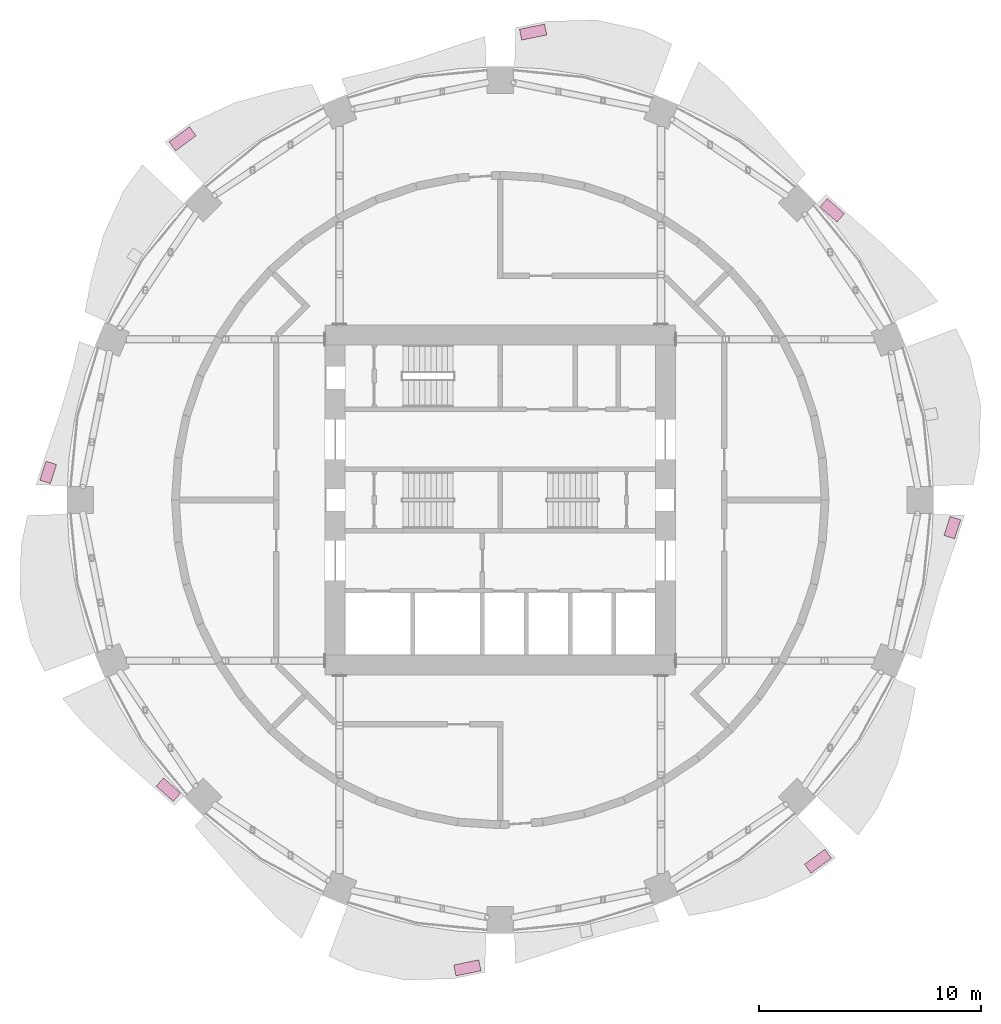
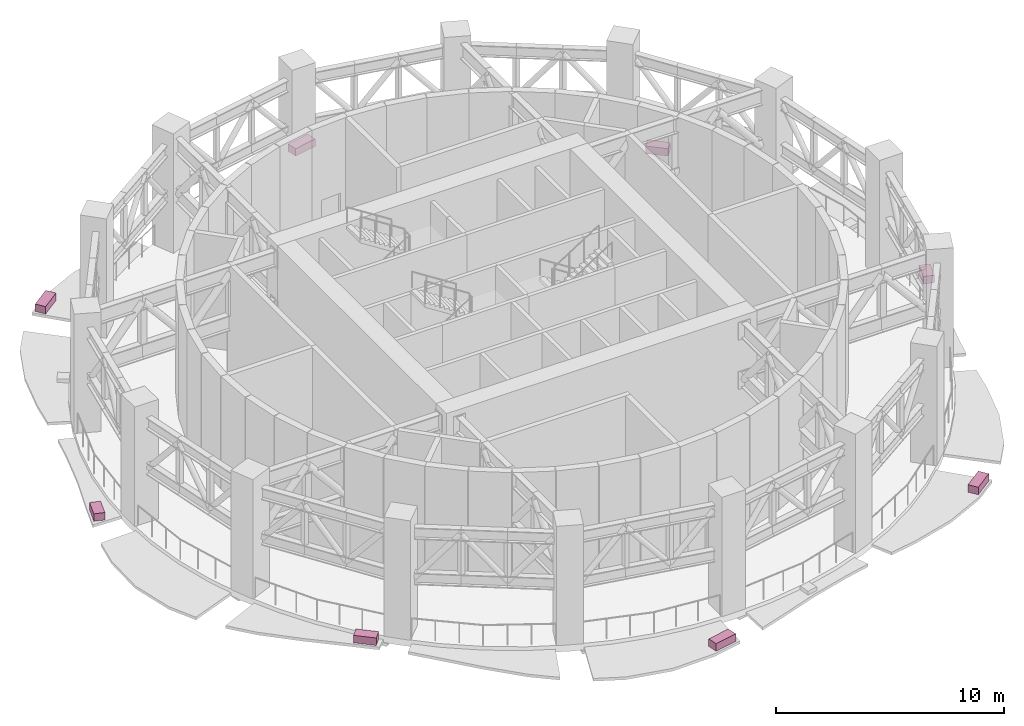
# One storey, part 14 of 14: 8 furniture elements.
"""IFC4 building model written with IfcOpenShell, lengths in metres."""

import ifcopenshell
import ifcopenshell.guid

model = None  # the IFC model being written
_history = None  # IfcOwnerHistory: only IFC2X3 demands one
_inside = {}  # id of a spatial element -> (the spatial element, [elements in it])
_under = {}  # id of a project, library or spatial element -> (it, [spatial elements below it])
_declared = {}  # id of a project -> (the project, [libraries it declares])
_typed = {}  # id of a type object -> (the type object, [elements of that type])
_made_of = {}  # id of a material, layer set ... -> (it, [elements and type objects made of it])


def new_model(schema):
    """Start an empty IFC model of exactly this schema.

    Asked for "IFC4X3", IfcOpenShell would pick the latest addendum, in which some entities
    have other attributes; the version numbers below select the first issue.
    IFC2X3 requires an IfcOwnerHistory on every rooted entity: one is made here for all.
    """
    global model, _history
    if schema == "IFC4X3":
        model = ifcopenshell.file(schema_version=(4, 3, 0, 0))
    else:
        model = ifcopenshell.file(schema=schema)
    _inside.clear()
    _under.clear()
    _declared.clear()
    _typed.clear()
    _made_of.clear()
    _history = None
    if model.schema == "IFC2X3":
        org = make("IfcOrganization", Name="unknown")
        user = make(
            "IfcPersonAndOrganization",
            ThePerson=make("IfcPerson", FamilyName="unknown"),
            TheOrganization=org,
        )
        app = make(
            "IfcApplication",
            ApplicationDeveloper=org,
            Version="unknown",
            ApplicationFullName="unknown",
            ApplicationIdentifier="unknown",
        )
        _history = make(
            "IfcOwnerHistory",
            OwningUser=user,
            OwningApplication=app,
            ChangeAction="ADDED",
            CreationDate=0,
        )
    return model


def make(cls, **values):
    """One entity of the class cls with the attributes given. An attribute that is None is left unset."""
    return model.create_entity(
        cls, **{name: value for name, value in values.items() if value is not None}
    )


def rooted(cls, **values):
    """An entity with a GlobalId (a new one), such as an element, a storey or a relation."""
    return make(cls, GlobalId=ifcopenshell.guid.new(), OwnerHistory=_history, **values)


def si_unit(unit_type, name, prefix=None):
    """IfcSIUnit, for example si_unit("LENGTHUNIT", "METRE", prefix="MILLI")."""
    return make("IfcSIUnit", UnitType=unit_type, Prefix=prefix, Name=name)


def assignment(units):
    """IfcUnitAssignment: the units of a project."""
    return None if units is None else make("IfcUnitAssignment", Units=units)


def point(xyz):
    """IfcCartesianPoint."""
    return None if xyz is None else make("IfcCartesianPoint", Coordinates=xyz)


def direction(xyz):
    """IfcDirection."""
    return None if xyz is None else make("IfcDirection", DirectionRatios=xyz)


def frame(location, z_axis=None, x_axis=None):
    """IfcAxis2Placement3D, a coordinate frame: its origin and axes. An axis left out is left unset."""
    return make(
        "IfcAxis2Placement3D",
        Location=point(location),
        Axis=direction(z_axis),
        RefDirection=direction(x_axis),
    )


def frame_2d(location, x_axis=None):
    """IfcAxis2Placement2D, a coordinate frame in the plane: its origin and x axis."""
    return make(
        "IfcAxis2Placement2D", Location=point(location), RefDirection=direction(x_axis)
    )


def origin():
    """The frame at (0, 0, 0) with its axes left unset."""
    return frame((0.0, 0.0, 0.0))


def origin_2d():
    """The frame at (0, 0) in the plane with its x axis left unset."""
    return frame_2d((0.0, 0.0))


def place(relative_to, where):
    """IfcLocalPlacement: puts the frame where relative to a parent placement (None: the world)."""
    return make(
        "IfcLocalPlacement", PlacementRelTo=relative_to, RelativePlacement=where
    )


def context(
    kind, dimensions, precision=None, world=None, true_north=None, identifier=None
):
    """IfcGeometricRepresentationContext, for example the 3D "Model" context."""
    return make(
        "IfcGeometricRepresentationContext",
        ContextIdentifier=identifier,
        ContextType=kind,
        CoordinateSpaceDimension=dimensions,
        Precision=precision,
        WorldCoordinateSystem=world,
        TrueNorth=true_north,
    )


def subcontext(parent, identifier, kind, view, scale=None):
    """IfcGeometricRepresentationSubContext, for example "Body" below "Model"."""
    return make(
        "IfcGeometricRepresentationSubContext",
        ContextIdentifier=identifier,
        ContextType=kind,
        ParentContext=parent,
        TargetScale=scale,
        TargetView=view,
    )


def project(units=None, contexts=None):
    """IfcProject with its units and contexts."""
    return rooted(
        "IfcProject",
        Name="project",
        RepresentationContexts=contexts,
        UnitsInContext=assignment(units),
    )


def spatial(cls, under=None, at=None, **own):
    """A site, building, storey or space (cls), placed at a placement, below another one or the project."""
    s = rooted(cls, ObjectPlacement=at, **own)
    if under is not None:
        _under.setdefault(under.id(), (under, []))[1].append(s)
    return s


def profile(cls, at=None, kind="AREA", **sizes):
    """A parametric profile (cls). Its sizes go by their IFC names, for example OverallWidth=200.0."""
    return make(cls, ProfileType=kind, Position=at, **sizes)


def rectangle(**sizes):
    """IfcRectangleProfileDef."""
    return profile("IfcRectangleProfileDef", **sizes)


def extrude(swept, where, along, depth):
    """IfcExtrudedAreaSolid: the profile swept, set in the frame where, extruded along a direction by depth."""
    return make(
        "IfcExtrudedAreaSolid",
        SweptArea=swept,
        Position=where,
        ExtrudedDirection=direction(along),
        Depth=depth,
    )


def shape(context_of_items, identifier, shape_type, items):
    """IfcShapeRepresentation: the items that make up one representation, for example the "Body"."""
    return make(
        "IfcShapeRepresentation",
        ContextOfItems=context_of_items,
        RepresentationIdentifier=identifier,
        RepresentationType=shape_type,
        Items=items,
    )


def material(Name=None, Category=None):
    """IfcMaterial."""
    return make("IfcMaterial", Name=Name, Category=Category)


def made_of(thing, what):
    """Note that an element or type object is made of a material, layer set ...; save() writes the relation."""
    if what is not None:
        _made_of.setdefault(what.id(), (what, []))[1].append(thing)
    return thing


def type_object(cls, material=None, **own):
    """A type object (cls), such as IfcWallType, which elements share."""
    return made_of(rooted(cls, **own), material)


def element(
    cls,
    number,
    at=None,
    inside=None,
    cuts=None,
    type_object=None,
    material=None,
    context=None,
    identifier="Body",
    shape_type=None,
    held_by="IfcProductDefinitionShape",
    body=None,
    shapes=None,
    **own,
):
    """One element of the class cls, such as IfcWall. Its Tag is "e" and its number.

    at: its placement. inside: the storey or other place that contains it. cuts: it is an
    opening in that element (IfcRelVoidsElement). A single representation is given by context,
    identifier, shape_type and body (its items); several are given by shapes. held_by: the class
    of the entity that holds the representations. save() writes the other relations.
    """
    e = rooted(cls, Tag="e%d" % number, ObjectPlacement=at, **own)
    if body is not None:
        shapes = [shape(context, identifier, shape_type, body)]
    if shapes is not None:
        e.Representation = make(held_by, Representations=shapes)
    if inside is not None:
        _inside.setdefault(inside.id(), (inside, []))[1].append(e)
    if cuts is not None:
        rooted(
            "IfcRelVoidsElement", RelatingBuildingElement=cuts, RelatedOpeningElement=e
        )
    if type_object is not None:
        _typed.setdefault(type_object.id(), (type_object, []))[1].append(e)
    return made_of(e, material)


def aggregate(whole, parts):
    """IfcRelAggregates: a whole, such as a stair, and the parts it consists of."""
    return rooted("IfcRelAggregates", RelatingObject=whole, RelatedObjects=parts)


def save(model, path):
    """Write the relations noted so far, then the file.

    IfcRelAggregates (storeys below a building ...), IfcRelContainedInSpatialStructure (elements
    in a storey), IfcRelDefinesByType, IfcRelAssociatesMaterial and IfcRelDeclares: one each for
    every whole, place, type object, material and project.
    """
    for whole, parts in _under.values():
        aggregate(whole, parts)
    for where, things in _inside.values():
        rooted(
            "IfcRelContainedInSpatialStructure",
            RelatedElements=things,
            RelatingStructure=where,
        )
    for kind, things in _typed.values():
        rooted("IfcRelDefinesByType", RelatedObjects=things, RelatingType=kind)
    for what, things in _made_of.values():
        rooted("IfcRelAssociatesMaterial", RelatedObjects=things, RelatingMaterial=what)
    for by, libraries in _declared.values():
        rooted("IfcRelDeclares", RelatingContext=by, RelatedDefinitions=libraries)
    model.write(path)


model = new_model("IFC4")

# Units and contexts
model_context = context("Model", 3, precision=1e-05, world=origin(), true_north=direction((0.0, 1.0)))
body_context = subcontext(model_context, "Body", "Model", "MODEL_VIEW")
ifc_project = project(units=[si_unit("LENGTHUNIT", "METRE"), si_unit("AREAUNIT", "SQUARE_METRE"), si_unit("VOLUMEUNIT", "CUBIC_METRE"), si_unit("PLANEANGLEUNIT", "RADIAN"), si_unit("MASSUNIT", "GRAM", prefix="KILO")], contexts=[model_context])

# Site, building, storey
site_placement = place(None, origin())
site = spatial("IfcSite", under=ifc_project, at=site_placement, CompositionType="ELEMENT")
building_placement = place(site_placement, origin())
building = spatial("IfcBuilding", under=site, at=building_placement, Name="Polderwave Tower", CompositionType="ELEMENT")
storey_placement = place(building_placement, frame((0.0, 0.0, 66.35009765625)))
storey = spatial("IfcBuildingStorey", under=building, at=storey_placement, Name="L17", CompositionType="ELEMENT", Elevation=66.35009765625)

# Furniture
ifc_material = material(Name="Terracotta", Category="masonry")
furniture_type = type_object("IfcFurnitureType", Name="Terracotta planting trough", AssemblyPlace="NOTDEFINED", PredefinedType="USERDEFINED", material=ifc_material)
furniture_1_placement = place(storey_placement, frame((14.9169921875, 13.01953125, -0.199951171875), z_axis=(0.0, 0.0, 1.0), x_axis=(-0.74729960892, 0.664487241795, 0.0)))
element("IfcFurniture", 1, at=furniture_1_placement, inside=storey, type_object=furniture_type, Name="Planting trough L17 2", ObjectType="PLANTER", PredefinedType="USERDEFINED", context=body_context, shape_type="SweptSolid", body=[
    extrude(rectangle(XDim=1.027587890625, YDim=0.5, at=origin_2d()), origin(), (0.0, 0.0, 1.0), 0.39990234375),
])
furniture_2_placement = place(storey_placement, frame((1.47802734375, 21.030029296875, -0.199951171875), z_axis=(0.0, 0.0, 1.0), x_axis=(-0.979782487407, -0.200065682641, 0.0)))
element("IfcFurniture", 2, at=furniture_2_placement, inside=storey, type_object=furniture_type, Name="Planting trough L17 4", ObjectType="PLANTER", PredefinedType="USERDEFINED", context=body_context, shape_type="SweptSolid", body=[
    extrude(rectangle(XDim=1.152099609375, YDim=0.5, at=origin_2d()), origin(), (0.0, 0.0, 1.0), 0.39990234375),
])
furniture_3_placement = place(storey_placement, frame((-14.27880859375, 16.235107421875, -0.199951171875), z_axis=(0.0, 0.0, 1.0), x_axis=(-0.80519094552, -0.593015633227, 0.0)))
element("IfcFurniture", 3, at=furniture_3_placement, inside=storey, type_object=furniture_type, Name="Planting trough L17 6", ObjectType="PLANTER", PredefinedType="USERDEFINED", context=body_context, shape_type="SweptSolid", body=[
    extrude(rectangle(XDim=1.141845703125, YDim=0.5, at=origin_2d()), origin(), (0.0, 0.0, 1.0), 0.39990234375),
])
furniture_4_placement = place(storey_placement, frame((-20.3203125, 1.241455078125, -0.199951171875), z_axis=(0.0, 0.0, 1.0), x_axis=(-0.307416407633, -0.951575090215, 0.0)))
element("IfcFurniture", 4, at=furniture_4_placement, inside=storey, type_object=furniture_type, Name="Planting trough L17 8", ObjectType="PLANTER", PredefinedType="USERDEFINED", context=body_context, shape_type="SweptSolid", body=[
    extrude(rectangle(XDim=0.895751953125, YDim=0.5, at=origin_2d()), origin(), (0.0, 0.0, 1.0), 0.39990234375),
])
furniture_5_placement = place(storey_placement, frame((-14.9169921875, -13.01953125, -0.199951171875), z_axis=(0.0, 0.0, 1.0), x_axis=(0.74729960892, -0.664487241795, 0.0)))
element("IfcFurniture", 5, at=furniture_5_placement, inside=storey, type_object=furniture_type, Name="Planting trough L17 10", ObjectType="PLANTER", PredefinedType="USERDEFINED", context=body_context, shape_type="SweptSolid", body=[
    extrude(rectangle(XDim=1.027587890625, YDim=0.5, at=origin_2d()), origin(), (0.0, 0.0, 1.0), 0.39990234375),
])
furniture_6_placement = place(storey_placement, frame((-1.47802734375, -21.030029296875, -0.199951171875), z_axis=(0.0, 0.0, 1.0), x_axis=(0.979782487407, 0.200065682641, 0.0)))
element("IfcFurniture", 6, at=furniture_6_placement, inside=storey, type_object=furniture_type, Name="Planting trough L17 12", ObjectType="PLANTER", PredefinedType="USERDEFINED", context=body_context, shape_type="SweptSolid", body=[
    extrude(rectangle(XDim=1.152099609375, YDim=0.5, at=origin_2d()), origin(), (0.0, 0.0, 1.0), 0.39990234375),
])
furniture_7_placement = place(storey_placement, frame((14.27880859375, -16.235107421875, -0.199951171875), z_axis=(0.0, 0.0, 1.0), x_axis=(0.80519094552, 0.593015633227, 0.0)))
element("IfcFurniture", 7, at=furniture_7_placement, inside=storey, type_object=furniture_type, Name="Planting trough L17 14", ObjectType="PLANTER", PredefinedType="USERDEFINED", context=body_context, shape_type="SweptSolid", body=[
    extrude(rectangle(XDim=1.141845703125, YDim=0.5, at=origin_2d()), origin(), (0.0, 0.0, 1.0), 0.39990234375),
])
furniture_8_placement = place(storey_placement, frame((20.3203125, -1.241455078125, -0.199951171875), z_axis=(0.0, 0.0, 1.0), x_axis=(0.307416407633, 0.951575090215, 0.0)))
element("IfcFurniture", 8, at=furniture_8_placement, inside=storey, type_object=furniture_type, Name="Planting trough L17 16", ObjectType="PLANTER", PredefinedType="USERDEFINED", context=body_context, shape_type="SweptSolid", body=[
    extrude(rectangle(XDim=0.895751953125, YDim=0.5, at=origin_2d()), origin(), (0.0, 0.0, 1.0), 0.39990234375),
])

save(model, "model.ifc")
